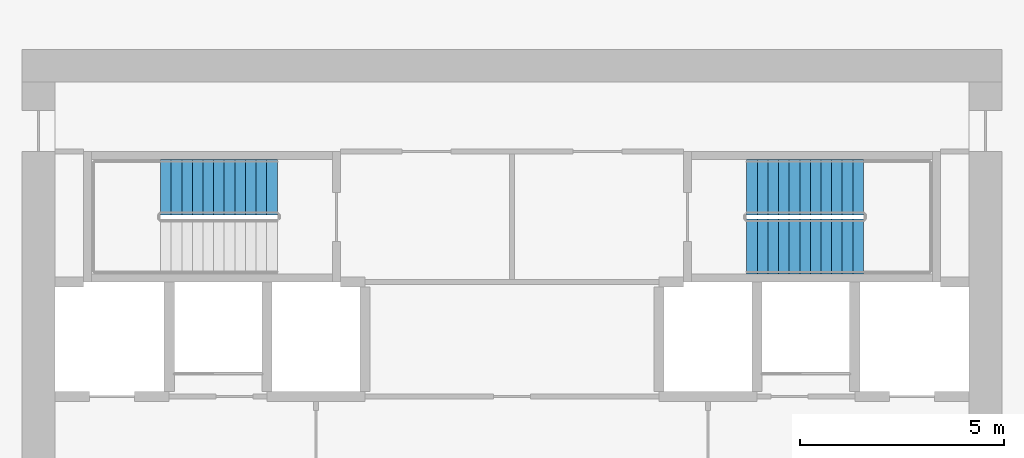
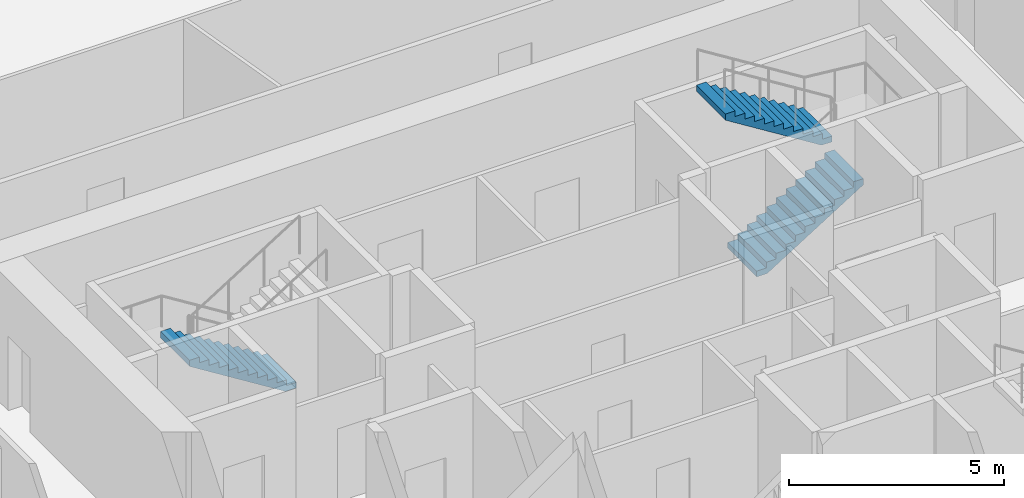
# One storey, part 10 of 11: 3 stair flights, 2 elements without a shape of their own.
"""IFC4 building model written with IfcOpenShell, lengths in metres."""

import ifcopenshell
import ifcopenshell.guid

model = None  # the IFC model being written
_history = None  # IfcOwnerHistory: only IFC2X3 demands one
_inside = {}  # id of a spatial element -> (the spatial element, [elements in it])
_under = {}  # id of a project, library or spatial element -> (it, [spatial elements below it])
_declared = {}  # id of a project -> (the project, [libraries it declares])
_typed = {}  # id of a type object -> (the type object, [elements of that type])
_made_of = {}  # id of a material, layer set ... -> (it, [elements and type objects made of it])


def new_model(schema):
    """Start an empty IFC model of exactly this schema.

    Asked for "IFC4X3", IfcOpenShell would pick the latest addendum, in which some entities
    have other attributes; the version numbers below select the first issue.
    IFC2X3 requires an IfcOwnerHistory on every rooted entity: one is made here for all.
    """
    global model, _history
    if schema == "IFC4X3":
        model = ifcopenshell.file(schema_version=(4, 3, 0, 0))
    else:
        model = ifcopenshell.file(schema=schema)
    _inside.clear()
    _under.clear()
    _declared.clear()
    _typed.clear()
    _made_of.clear()
    _history = None
    if model.schema == "IFC2X3":
        org = make("IfcOrganization", Name="unknown")
        user = make(
            "IfcPersonAndOrganization",
            ThePerson=make("IfcPerson", FamilyName="unknown"),
            TheOrganization=org,
        )
        app = make(
            "IfcApplication",
            ApplicationDeveloper=org,
            Version="unknown",
            ApplicationFullName="unknown",
            ApplicationIdentifier="unknown",
        )
        _history = make(
            "IfcOwnerHistory",
            OwningUser=user,
            OwningApplication=app,
            ChangeAction="ADDED",
            CreationDate=0,
        )
    return model


def make(cls, **values):
    """One entity of the class cls with the attributes given. An attribute that is None is left unset."""
    return model.create_entity(
        cls, **{name: value for name, value in values.items() if value is not None}
    )


def rooted(cls, **values):
    """An entity with a GlobalId (a new one), such as an element, a storey or a relation."""
    return make(cls, GlobalId=ifcopenshell.guid.new(), OwnerHistory=_history, **values)


def si_unit(unit_type, name, prefix=None):
    """IfcSIUnit, for example si_unit("LENGTHUNIT", "METRE", prefix="MILLI")."""
    return make("IfcSIUnit", UnitType=unit_type, Prefix=prefix, Name=name)


def assignment(units):
    """IfcUnitAssignment: the units of a project."""
    return None if units is None else make("IfcUnitAssignment", Units=units)


def point(xyz):
    """IfcCartesianPoint."""
    return None if xyz is None else make("IfcCartesianPoint", Coordinates=xyz)


def direction(xyz):
    """IfcDirection."""
    return None if xyz is None else make("IfcDirection", DirectionRatios=xyz)


def frame(location, z_axis=None, x_axis=None):
    """IfcAxis2Placement3D, a coordinate frame: its origin and axes. An axis left out is left unset."""
    return make(
        "IfcAxis2Placement3D",
        Location=point(location),
        Axis=direction(z_axis),
        RefDirection=direction(x_axis),
    )


def origin():
    """The frame at (0, 0, 0) with its axes left unset."""
    return frame((0.0, 0.0, 0.0))


def place(relative_to, where):
    """IfcLocalPlacement: puts the frame where relative to a parent placement (None: the world)."""
    return make(
        "IfcLocalPlacement", PlacementRelTo=relative_to, RelativePlacement=where
    )


def context(
    kind, dimensions, precision=None, world=None, true_north=None, identifier=None
):
    """IfcGeometricRepresentationContext, for example the 3D "Model" context."""
    return make(
        "IfcGeometricRepresentationContext",
        ContextIdentifier=identifier,
        ContextType=kind,
        CoordinateSpaceDimension=dimensions,
        Precision=precision,
        WorldCoordinateSystem=world,
        TrueNorth=true_north,
    )


def subcontext(parent, identifier, kind, view, scale=None):
    """IfcGeometricRepresentationSubContext, for example "Body" below "Model"."""
    return make(
        "IfcGeometricRepresentationSubContext",
        ContextIdentifier=identifier,
        ContextType=kind,
        ParentContext=parent,
        TargetScale=scale,
        TargetView=view,
    )


def project(units=None, contexts=None):
    """IfcProject with its units and contexts."""
    return rooted(
        "IfcProject",
        Name="project",
        RepresentationContexts=contexts,
        UnitsInContext=assignment(units),
    )


def spatial(cls, under=None, at=None, **own):
    """A site, building, storey or space (cls), placed at a placement, below another one or the project."""
    s = rooted(cls, ObjectPlacement=at, **own)
    if under is not None:
        _under.setdefault(under.id(), (under, []))[1].append(s)
    return s


def polyline(points):
    """IfcPolyline through the points."""
    return make("IfcPolyline", Points=[point(p) for p in points])


def outline(outer, holes=None, kind="AREA"):
    """IfcArbitraryClosedProfileDef: a profile drawn as a closed curve; with holes, ...WithVoids."""
    if holes is None:
        return make("IfcArbitraryClosedProfileDef", ProfileType=kind, OuterCurve=outer)
    return make(
        "IfcArbitraryProfileDefWithVoids",
        ProfileType=kind,
        OuterCurve=outer,
        InnerCurves=holes,
    )


def extrude(swept, where, along, depth):
    """IfcExtrudedAreaSolid: the profile swept, set in the frame where, extruded along a direction by depth."""
    return make(
        "IfcExtrudedAreaSolid",
        SweptArea=swept,
        Position=where,
        ExtrudedDirection=direction(along),
        Depth=depth,
    )


def shape(context_of_items, identifier, shape_type, items):
    """IfcShapeRepresentation: the items that make up one representation, for example the "Body"."""
    return make(
        "IfcShapeRepresentation",
        ContextOfItems=context_of_items,
        RepresentationIdentifier=identifier,
        RepresentationType=shape_type,
        Items=items,
    )


def source(mapping_origin, context_of_items, identifier, shape_type, items):
    """IfcRepresentationMap: a shape defined once, which mapped items show again and again."""
    return make(
        "IfcRepresentationMap",
        MappingOrigin=mapping_origin,
        MappedRepresentation=shape(context_of_items, identifier, shape_type, items),
    )


def transform(
    local_origin,
    x_axis=None,
    y_axis=None,
    z_axis=None,
    scale=None,
    scale2=None,
    scale3=None,
    uniform=True,
):
    """IfcCartesianTransformationOperator3D, or its non-uniform kind. x_axis, y_axis, z_axis: its Axis1, 2, 3."""
    if uniform:
        return make(
            "IfcCartesianTransformationOperator3D",
            Axis1=direction(x_axis),
            Axis2=direction(y_axis),
            LocalOrigin=point(local_origin),
            Scale=scale,
            Axis3=direction(z_axis),
        )
    return make(
        "IfcCartesianTransformationOperator3DnonUniform",
        Axis1=direction(x_axis),
        Axis2=direction(y_axis),
        LocalOrigin=point(local_origin),
        Scale=scale,
        Axis3=direction(z_axis),
        Scale2=scale2,
        Scale3=scale3,
    )


def mapped(mapping_source, mapping_target):
    """IfcMappedItem: shows the shape of a source again, moved by a transform."""
    return make(
        "IfcMappedItem", MappingSource=mapping_source, MappingTarget=mapping_target
    )


def material(Name=None, Category=None):
    """IfcMaterial."""
    return make("IfcMaterial", Name=Name, Category=Category)


def made_of(thing, what):
    """Note that an element or type object is made of a material, layer set ...; save() writes the relation."""
    if what is not None:
        _made_of.setdefault(what.id(), (what, []))[1].append(thing)
    return thing


def type_object(cls, material=None, **own):
    """A type object (cls), such as IfcWallType, which elements share."""
    return made_of(rooted(cls, **own), material)


def element(
    cls,
    number,
    at=None,
    inside=None,
    cuts=None,
    type_object=None,
    material=None,
    context=None,
    identifier="Body",
    shape_type=None,
    held_by="IfcProductDefinitionShape",
    body=None,
    shapes=None,
    **own,
):
    """One element of the class cls, such as IfcWall. Its Tag is "e" and its number.

    at: its placement. inside: the storey or other place that contains it. cuts: it is an
    opening in that element (IfcRelVoidsElement). A single representation is given by context,
    identifier, shape_type and body (its items); several are given by shapes. held_by: the class
    of the entity that holds the representations. save() writes the other relations.
    """
    e = rooted(cls, Tag="e%d" % number, ObjectPlacement=at, **own)
    if body is not None:
        shapes = [shape(context, identifier, shape_type, body)]
    if shapes is not None:
        e.Representation = make(held_by, Representations=shapes)
    if inside is not None:
        _inside.setdefault(inside.id(), (inside, []))[1].append(e)
    if cuts is not None:
        rooted(
            "IfcRelVoidsElement", RelatingBuildingElement=cuts, RelatedOpeningElement=e
        )
    if type_object is not None:
        _typed.setdefault(type_object.id(), (type_object, []))[1].append(e)
    return made_of(e, material)


def aggregate(whole, parts):
    """IfcRelAggregates: a whole, such as a stair, and the parts it consists of."""
    return rooted("IfcRelAggregates", RelatingObject=whole, RelatedObjects=parts)


def save(model, path):
    """Write the relations noted so far, then the file.

    IfcRelAggregates (storeys below a building ...), IfcRelContainedInSpatialStructure (elements
    in a storey), IfcRelDefinesByType, IfcRelAssociatesMaterial and IfcRelDeclares: one each for
    every whole, place, type object, material and project.
    """
    for whole, parts in _under.values():
        aggregate(whole, parts)
    for where, things in _inside.values():
        rooted(
            "IfcRelContainedInSpatialStructure",
            RelatedElements=things,
            RelatingStructure=where,
        )
    for kind, things in _typed.values():
        rooted("IfcRelDefinesByType", RelatedObjects=things, RelatingType=kind)
    for what, things in _made_of.values():
        rooted("IfcRelAssociatesMaterial", RelatedObjects=things, RelatingMaterial=what)
    for by, libraries in _declared.values():
        rooted("IfcRelDeclares", RelatingContext=by, RelatedDefinitions=libraries)
    model.write(path)


model = new_model("IFC4")

# Units and contexts
model_context = context("Model", 3, precision=1e-05, world=origin(), true_north=direction((0.0, 1.0)))
body_context = subcontext(model_context, "Body", "Model", "MODEL_VIEW")
ifc_project = project(units=[si_unit("LENGTHUNIT", "METRE"), si_unit("AREAUNIT", "SQUARE_METRE"), si_unit("VOLUMEUNIT", "CUBIC_METRE"), si_unit("PLANEANGLEUNIT", "RADIAN"), si_unit("MASSUNIT", "GRAM", prefix="KILO")], contexts=[model_context])

# Site, building, storey
site_placement = place(None, origin())
site = spatial("IfcSite", under=ifc_project, at=site_placement, CompositionType="ELEMENT")
building_placement = place(site_placement, origin())
building = spatial("IfcBuilding", under=site, at=building_placement, Name="Embergate Tower", CompositionType="ELEMENT")
storey_placement = place(building_placement, frame((0.0, 0.0, 132.0)))
storey = spatial("IfcBuildingStorey", under=building, at=storey_placement, Name="L28", CompositionType="ELEMENT", Elevation=132.0)

# Stair, stair flight
ifc_material_1 = material(Name="Exit stair")
stair_type = type_object("IfcStairType", Name="Exit stair", PredefinedType="HALF_TURN_STAIR", material=ifc_material_1)
stair_1_placement = place(storey_placement, origin())
stair_1 = element("IfcStair", 1, at=stair_1_placement, inside=storey, type_object=stair_type, Name="L28 Exit stair 1", PredefinedType="HALF_TURN_STAIR")
ifc_material_2 = material(Name="Concrete C40", Category="concrete")
stair_flight_type = type_object("IfcStairFlightType", Name="Stair flight reinforced concrete", PredefinedType="STRAIGHT", material=ifc_material_2)
shared_shape = source(origin(), body_context, "Body", "SweptSolid", [
    extrude(outline(polyline([(0.0, 0.0), (0.0, 0.16259765625), (0.260009765625, 0.16259765625), (0.260009765625, 0.324951171875), (0.52001953125, 0.324951171875), (0.52001953125, 0.487548828125), (0.780029296875, 0.487548828125), (0.780029296875, 0.64990234375), (1.0400390625, 0.64990234375), (1.0400390625, 0.8125), (1.300048828125, 0.8125), (1.300048828125, 0.97509765625), (1.56005859375, 0.97509765625), (1.56005859375, 1.137451171875), (1.820068359375, 1.137451171875), (1.820068359375, 1.300048828125), (2.080078125, 1.300048828125), (2.080078125, 1.46240234375), (2.340087890625, 1.46240234375), (2.340087890625, 1.625), (2.60009765625, 1.625), (2.60009765625, 1.78759765625), (2.860107421875, 1.78759765625), (2.860107421875, 1.949951171875), (2.860107421875, 1.61083984375), (0.28271484375, 0.0), (0.0, 0.0)])), frame((0.0, 0.675048828125, 0.0), z_axis=(0.0, -1.0, 0.0), x_axis=(1.0, 0.0, 0.0)), (0.0, 0.0, 1.0), 1.35009765625),
])
stair_flight_1_placement = place(storey_placement, frame((-5.75, 7.625, 0.0), z_axis=(0.0, 0.0, 1.0), x_axis=(-1.0, 0.0, 0.0)))
stair_flight_1 = element("IfcStairFlight", 2, at=stair_flight_1_placement, type_object=stair_flight_type, Name="ST1 flight 1", NumberOfRisers=12, NumberOfTreads=11, PredefinedType="STRAIGHT", RiserHeight=0.1625, TreadLength=0.26, context=body_context, shape_type="MappedRepresentation", body=[
    mapped(shared_shape, transform((0.0, 0.0, 0.0))),
])
aggregate(stair_1, [stair_flight_1])

# Stair, stair flights
stair_2_placement = place(storey_placement, origin())
stair_2 = element("IfcStair", 3, at=stair_2_placement, inside=storey, type_object=stair_type, Name="L28 Exit stair 2", PredefinedType="HALF_TURN_STAIR")
stair_flight_2_placement = place(storey_placement, frame((5.75, 6.175048828125, 0.0), z_axis=(0.0, 0.0, 1.0), x_axis=(1.0, 0.0, 0.0)))
stair_flight_2 = element("IfcStairFlight", 4, at=stair_flight_2_placement, type_object=stair_flight_type, Name="ST2 flight 1", NumberOfRisers=12, NumberOfTreads=11, PredefinedType="STRAIGHT", RiserHeight=0.1625, TreadLength=0.26, context=body_context, shape_type="MappedRepresentation", body=[
    mapped(shared_shape, transform((0.0, 0.0, 0.0))),
])
stair_flight_3_placement = place(storey_placement, frame((8.610107421875, 7.625, 1.949951171875), z_axis=(0.0, 0.0, 1.0), x_axis=(-1.0, 0.0, 0.0)))
stair_flight_3 = element("IfcStairFlight", 5, at=stair_flight_3_placement, type_object=stair_flight_type, Name="ST2 flight 2", NumberOfRisers=12, NumberOfTreads=11, PredefinedType="STRAIGHT", RiserHeight=0.1625, TreadLength=0.26, context=body_context, shape_type="MappedRepresentation", body=[
    mapped(shared_shape, transform((0.0, 0.0, 0.0))),
])
aggregate(stair_2, [stair_flight_2, stair_flight_3])

save(model, "model.ifc")
